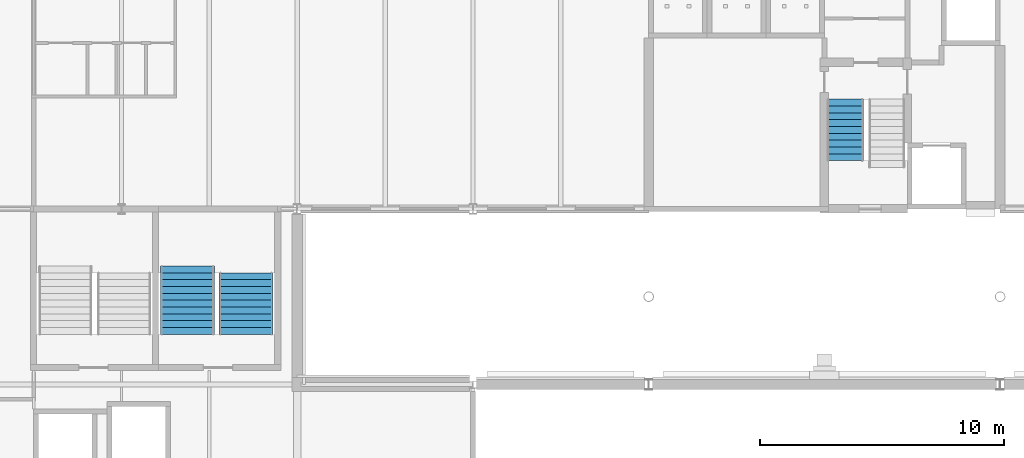
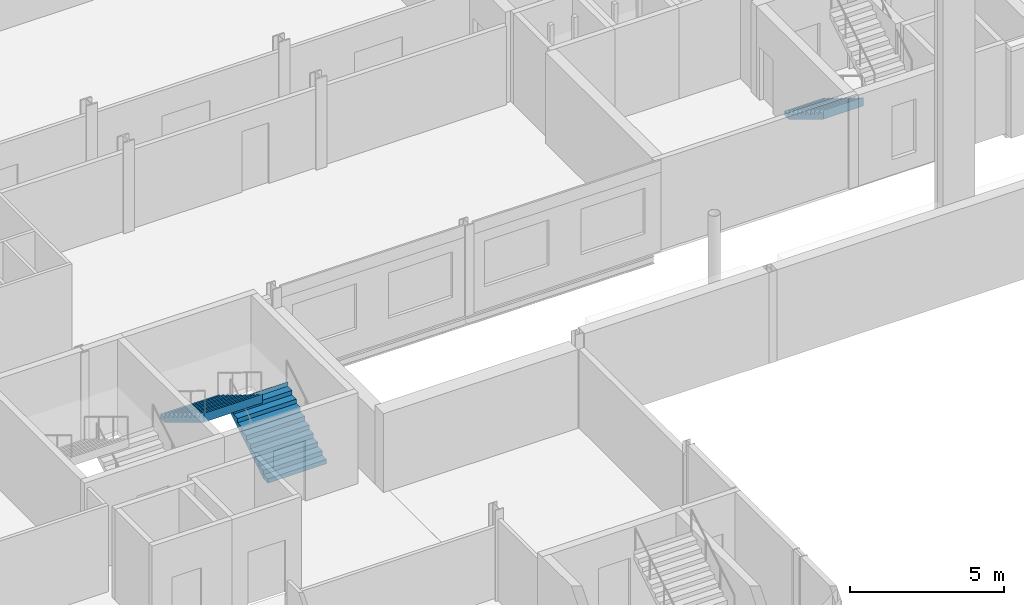
# One storey, part 72 of 90: 3 stair flights, 2 elements without a shape of their own.
"""IFC4 building model written with IfcOpenShell, lengths in metres."""

from ifc_helpers import new_model, si_unit, direction, frame, origin, place, context, subcontext, project, spatial, polyline, outline, extrude, material, type_object, element, aggregate, save


model = new_model("IFC4")

# Units and contexts
model_context = context("Model", 3, precision=1e-05, world=origin(), true_north=direction((0.0, 1.0)))
body_context = subcontext(model_context, "Body", "Model", "MODEL_VIEW")
ifc_project = project(units=[si_unit("LENGTHUNIT", "METRE"), si_unit("AREAUNIT", "SQUARE_METRE"), si_unit("VOLUMEUNIT", "CUBIC_METRE"), si_unit("PLANEANGLEUNIT", "RADIAN"), si_unit("MASSUNIT", "GRAM", prefix="KILO")], contexts=[model_context])

# Site, building, storey
site_placement = place(None, origin())
site = spatial("IfcSite", under=ifc_project, at=site_placement, CompositionType="ELEMENT")
building_placement = place(site_placement, origin())
building = spatial("IfcBuilding", under=site, at=building_placement, Name="Kupolbacken Congress Centre", CompositionType="ELEMENT")
storey_placement = place(building_placement, frame((0.0, 0.0, 3.60009765625)))
storey = spatial("IfcBuildingStorey", under=building, at=storey_placement, Name="L01", CompositionType="ELEMENT", Elevation=3.60009765625)

# Stair, stair flights
ifc_material_1 = material(Name="Concrete C30/37", Category="concrete")
stair_type_1 = type_object("IfcStairType", Name="ST13 stair 2200", PredefinedType="TWO_STRAIGHT_RUN_STAIR", material=ifc_material_1)
stair_1_placement = place(storey_placement, origin())
stair_1 = element("IfcStair", 1, at=stair_1_placement, inside=storey, type_object=stair_type_1, Name="C/stair/PS2NE/L01", PredefinedType="NOTDEFINED")
ifc_material_2 = material(Name="Concrete C30/37", Category="concrete")
stair_flight_type_1 = type_object("IfcStairFlightType", Name="FL13 stair flight 2200 x 10 risers", PredefinedType="STRAIGHT", material=ifc_material_2)
stair_flight_1_placement = place(storey_placement, frame((77.10009765625, 117.2548828125, 0.0), z_axis=(0.0, 0.0, 1.0), x_axis=(0.0, 1.0, 0.0)))
stair_flight_1 = element("IfcStairFlight", 2, at=stair_flight_1_placement, type_object=stair_flight_type_1, Name="PS2NE flight 1", NumberOfRisers=10, NumberOfTreads=9, PredefinedType="STRAIGHT", RiserHeight=0.171428571, TreadLength=0.28, context=body_context, shape_type="SweptSolid", body=[
    extrude(outline(polyline([(0.0, 0.0), (0.0, 0.0009765625), (0.0, 0.002197265625), (0.0, 0.003173828125), (0.0, 0.004150390625), (0.0, 0.00537109375), (0.0, 0.00634765625), (0.0, 0.007568359375), (0.0, 0.008544921875), (0.0, 0.009521484375), (0.0, 0.0107421875), (0.0, 0.01171875), (0.0, 0.0126953125), (0.0, 0.013916015625), (0.0, 0.014892578125), (0.0, 0.015869140625), (0.0, 0.01708984375), (0.0, 0.01806640625), (0.0, 0.019287109375), (0.0, 0.020263671875), (0.0, 0.021240234375), (0.0, 0.0224609375), (0.0, 0.0234375), (0.0, 0.0244140625), (0.0, 0.025634765625), (0.0, 0.026611328125), (0.0, 0.027587890625), (0.0, 0.02880859375), (0.0, 0.02978515625), (0.0, 0.03076171875), (0.0, 0.031982421875), (0.0, 0.032958984375), (0.0, 0.0341796875), (0.0, 0.03515625), (0.0, 0.0361328125), (0.0, 0.037353515625), (0.0, 0.038330078125), (0.0, 0.039306640625), (0.0, 0.04052734375), (0.0, 0.04150390625), (0.0, 0.04248046875), (0.0, 0.043701171875), (0.0, 0.044677734375), (0.0, 0.0458984375), (0.0, 0.046875), (0.0, 0.0478515625), (0.0, 0.049072265625), (0.0, 0.050048828125), (0.0, 0.051025390625), (0.0, 0.05224609375), (0.0, 0.05322265625), (0.0, 0.05419921875), (0.0, 0.055419921875), (0.0, 0.056396484375), (0.0, 0.0576171875), (0.0, 0.05859375), (0.0, 0.0595703125), (0.0, 0.060791015625), (0.0, 0.061767578125), (0.0, 0.062744140625), (0.0, 0.06396484375), (0.0, 0.06494140625), (0.0, 0.06591796875), (0.0, 0.067138671875), (0.0, 0.068115234375), (0.0, 0.069091796875), (0.0, 0.0703125), (0.0, 0.0712890625), (0.0, 0.072509765625), (0.0, 0.073486328125), (0.0, 0.074462890625), (0.0, 0.07568359375), (0.0, 0.07666015625), (0.0, 0.07763671875), (0.0, 0.078857421875), (0.0, 0.079833984375), (0.0, 0.080810546875), (0.0, 0.08203125), (0.0, 0.0830078125), (0.0, 0.084228515625), (0.0, 0.085205078125), (0.0, 0.086181640625), (0.0, 0.08740234375), (0.0, 0.08837890625), (0.0, 0.08935546875), (0.0, 0.090576171875), (0.0, 0.091552734375), (0.0, 0.092529296875), (0.0, 0.09375), (0.0, 0.0947265625), (0.0, 0.095947265625), (0.0, 0.096923828125), (0.0, 0.097900390625), (0.0, 0.09912109375), (0.0, 0.10009765625), (0.0, 0.10107421875), (0.0, 0.102294921875), (0.0, 0.103271484375), (0.0, 0.104248046875), (0.0, 0.10546875), (0.0, 0.1064453125), (0.0, 0.107421875), (0.0, 0.108642578125), (0.0, 0.109619140625), (0.0, 0.11083984375), (0.0, 0.11181640625), (0.0, 0.11279296875), (0.0, 0.114013671875), (0.0, 0.114990234375), (0.0, 0.115966796875), (0.0, 0.1171875), (0.0, 0.1181640625), (0.0, 0.119140625), (0.0, 0.120361328125), (0.0, 0.121337890625), (0.0, 0.12255859375), (0.0, 0.12353515625), (0.0, 0.12451171875), (0.0, 0.125732421875), (0.0, 0.126708984375), (0.0, 0.127685546875), (0.0, 0.12890625), (0.0, 0.1298828125), (0.0, 0.130859375), (0.0, 0.132080078125), (0.0, 0.133056640625), (0.0, 0.13427734375), (0.0, 0.13525390625), (0.0, 0.13623046875), (0.0, 0.137451171875), (0.0, 0.138427734375), (0.0, 0.139404296875), (0.0, 0.140625), (0.0, 0.1416015625), (0.0, 0.142578125), (0.0, 0.143798828125), (0.0, 0.144775390625), (0.0, 0.145751953125), (0.0, 0.14697265625), (0.0, 0.14794921875), (0.0, 0.149169921875), (0.0, 0.150146484375), (0.0, 0.151123046875), (0.0, 0.15234375), (0.0, 0.1533203125), (0.0, 0.154296875), (0.0, 0.155517578125), (0.0, 0.156494140625), (0.0, 0.157470703125), (0.0, 0.15869140625), (0.0, 0.15966796875), (0.0, 0.160888671875), (0.0, 0.161865234375), (0.0, 0.162841796875), (0.0, 0.1640625), (0.0, 0.1650390625), (0.0, 0.166015625), (0.0, 0.167236328125), (0.0, 0.168212890625), (0.0, 0.169189453125), (0.0, 0.17041015625), (0.0, 0.17138671875), (0.280029296875, 0.17138671875), (0.280029296875, 0.3427734375), (0.56005859375, 0.3427734375), (0.56005859375, 0.514404296875), (0.840087890625, 0.514404296875), (0.840087890625, 0.685791015625), (1.1201171875, 0.685791015625), (1.1201171875, 0.857177734375), (1.39990234375, 0.857177734375), (1.39990234375, 1.028564453125), (1.679931640625, 1.028564453125), (1.679931640625, 1.199951171875), (1.9599609375, 1.199951171875), (1.9599609375, 1.371337890625), (2.239990234375, 1.371337890625), (2.239990234375, 1.54296875), (2.52001953125, 1.54296875), (2.52001953125, 1.71435546875), (2.52197265625, 1.71435546875), (2.52197265625, 1.712158203125), (2.52197265625, 1.7099609375), (2.52197265625, 1.707763671875), (2.52197265625, 1.70556640625), (2.52197265625, 1.70361328125), (2.52197265625, 1.701416015625), (2.52197265625, 1.69921875), (2.52197265625, 1.697021484375), (2.52197265625, 1.69482421875), (2.52197265625, 1.692626953125), (2.52197265625, 1.690673828125), (2.52197265625, 1.6884765625), (2.52197265625, 1.686279296875), (2.52197265625, 1.68408203125), (2.52197265625, 1.681884765625), (2.52197265625, 1.6796875), (2.52197265625, 1.677734375), (2.52197265625, 1.675537109375), (2.52197265625, 1.67333984375), (2.52197265625, 1.671142578125), (2.52197265625, 1.6689453125), (2.52197265625, 1.666748046875), (2.52197265625, 1.664794921875), (2.52197265625, 1.66259765625), (2.52197265625, 1.660400390625), (2.52197265625, 1.658203125), (2.52197265625, 1.656005859375), (2.52197265625, 1.65380859375), (2.52197265625, 1.65185546875), (2.52197265625, 1.649658203125), (2.52197265625, 1.6474609375), (2.52197265625, 1.645263671875), (2.52197265625, 1.64306640625), (2.52197265625, 1.640869140625), (2.52197265625, 1.638916015625), (2.52197265625, 1.63671875), (2.52197265625, 1.634521484375), (2.52197265625, 1.63232421875), (2.52197265625, 1.630126953125), (2.52197265625, 1.6279296875), (2.52197265625, 1.6259765625), (2.52197265625, 1.623779296875), (2.52197265625, 1.62158203125), (2.52197265625, 1.619384765625), (2.52197265625, 1.6171875), (2.52197265625, 1.614990234375), (2.52197265625, 1.613037109375), (2.52197265625, 1.61083984375), (2.52197265625, 1.608642578125), (2.52197265625, 1.6064453125), (2.52197265625, 1.604248046875), (2.52197265625, 1.60205078125), (2.52197265625, 1.60009765625), (2.52197265625, 1.597900390625), (2.52197265625, 1.595703125), (2.52197265625, 1.593505859375), (2.52197265625, 1.59130859375), (2.52197265625, 1.589111328125), (2.52197265625, 1.587158203125), (2.52197265625, 1.5849609375), (2.52197265625, 1.582763671875), (2.52197265625, 1.58056640625), (2.52197265625, 1.578369140625), (2.52197265625, 1.576171875), (2.52197265625, 1.57421875), (2.52197265625, 1.572021484375), (2.52197265625, 1.56982421875), (2.52197265625, 1.567626953125), (2.52197265625, 1.5654296875), (2.52197265625, 1.563232421875), (2.52197265625, 1.561279296875), (2.52197265625, 1.55908203125), (2.52197265625, 1.556884765625), (2.52197265625, 1.5546875), (2.52197265625, 1.552490234375), (2.52197265625, 1.55029296875), (2.52197265625, 1.54833984375), (2.52197265625, 1.546142578125), (2.52197265625, 1.5439453125), (2.52197265625, 1.541748046875), (2.52197265625, 1.53955078125), (2.52197265625, 1.537353515625), (2.52197265625, 1.535400390625), (2.52197265625, 1.533203125), (2.52197265625, 1.531005859375), (2.52197265625, 1.52880859375), (2.52197265625, 1.526611328125), (2.52197265625, 1.5244140625), (2.52197265625, 1.5224609375), (2.52197265625, 1.520263671875), (2.52197265625, 1.51806640625), (2.52197265625, 1.515869140625), (2.52197265625, 1.513671875), (2.52197265625, 1.511474609375), (2.52197265625, 1.509521484375), (2.52197265625, 1.50732421875), (2.52197265625, 1.505126953125), (2.52197265625, 1.5029296875), (2.52197265625, 1.500732421875), (2.52197265625, 1.49853515625), (2.52197265625, 1.49658203125), (2.52197265625, 1.494384765625), (2.52197265625, 1.4921875), (2.52197265625, 1.489990234375), (2.52197265625, 1.48779296875), (2.52197265625, 1.485595703125), (2.52197265625, 1.483642578125), (2.52197265625, 1.4814453125), (2.52197265625, 1.479248046875), (2.52197265625, 1.47705078125), (2.52197265625, 1.474853515625), (2.52197265625, 1.47265625), (2.52197265625, 1.470703125), (2.52197265625, 1.468505859375), (2.52197265625, 1.46630859375), (2.52197265625, 1.464111328125), (2.52197265625, 1.4619140625), (2.52197265625, 1.459716796875), (2.52197265625, 1.457763671875), (2.52197265625, 1.45556640625), (2.52197265625, 1.453369140625), (2.52197265625, 1.451171875), (2.52197265625, 1.448974609375), (2.52197265625, 1.44677734375), (2.52197265625, 1.44482421875), (2.52197265625, 1.442626953125), (2.52197265625, 1.4404296875), (2.52197265625, 1.438232421875), (2.52197265625, 1.43603515625), (2.52197265625, 1.433837890625), (2.52197265625, 1.431884765625), (2.52197265625, 1.4296875), (2.52197265625, 1.427490234375), (2.52197265625, 1.42529296875), (2.52197265625, 1.423095703125), (2.52197265625, 1.4208984375), (2.52197265625, 1.4189453125), (2.52197265625, 1.416748046875), (2.52197265625, 1.41455078125), (2.52197265625, 1.412353515625), (2.52197265625, 1.41015625), (2.52197265625, 1.407958984375), (2.52197265625, 1.406005859375), (2.52197265625, 1.40380859375), (2.52197265625, 1.401611328125), (2.52197265625, 1.3994140625), (2.52197265625, 1.397216796875), (2.52197265625, 1.39501953125), (2.52197265625, 1.39306640625), (2.52197265625, 1.390869140625), (2.52197265625, 1.388671875), (2.52197265625, 1.386474609375), (2.52197265625, 1.38427734375), (2.52197265625, 1.382080078125), (2.52197265625, 1.380126953125), (2.52197265625, 1.3779296875), (2.52197265625, 1.375732421875), (2.52197265625, 1.37353515625), (2.52197265625, 1.371337890625), (2.52197265625, 1.369140625), (2.52197265625, 1.3671875), (0.2890625, 0.0), (0.0, 0.0)])), frame((0.0, 1.10009765625, 0.0), z_axis=(0.0, -1.0, 0.0), x_axis=(1.0, 0.0, 0.0)), (0.0, 0.0, 1.0), 2.199951171875),
])
ifc_material_3 = material(Name="Concrete C30/37", Category="concrete")
stair_flight_type_2 = type_object("IfcStairFlightType", Name="FL14 stair flight 2200 x 11 risers", PredefinedType="STRAIGHT", material=ifc_material_3)
stair_flight_2_placement = place(storey_placement, frame((74.699951171875, 120.054931640625, 1.714111328125), z_axis=(0.0, 0.0, 1.0), x_axis=(0.0, -1.0, 0.0)))
stair_flight_2 = element("IfcStairFlight", 3, at=stair_flight_2_placement, type_object=stair_flight_type_2, Name="PS2NE flight 2", NumberOfRisers=11, NumberOfTreads=10, PredefinedType="STRAIGHT", RiserHeight=0.171428571, TreadLength=0.28, context=body_context, shape_type="SweptSolid", body=[
    extrude(outline(polyline([(0.0, 0.0), (0.0, 0.0009765625), (0.0, 0.002197265625), (0.0, 0.003173828125), (0.0, 0.004150390625), (0.0, 0.00537109375), (0.0, 0.00634765625), (0.0, 0.007568359375), (0.0, 0.008544921875), (0.0, 0.009521484375), (0.0, 0.0107421875), (0.0, 0.01171875), (0.0, 0.0126953125), (0.0, 0.013916015625), (0.0, 0.014892578125), (0.0, 0.015869140625), (0.0, 0.01708984375), (0.0, 0.01806640625), (0.0, 0.019287109375), (0.0, 0.020263671875), (0.0, 0.021240234375), (0.0, 0.0224609375), (0.0, 0.0234375), (0.0, 0.0244140625), (0.0, 0.025634765625), (0.0, 0.026611328125), (0.0, 0.027587890625), (0.0, 0.02880859375), (0.0, 0.02978515625), (0.0, 0.03076171875), (0.0, 0.031982421875), (0.0, 0.032958984375), (0.0, 0.0341796875), (0.0, 0.03515625), (0.0, 0.0361328125), (0.0, 0.037353515625), (0.0, 0.038330078125), (0.0, 0.039306640625), (0.0, 0.04052734375), (0.0, 0.04150390625), (0.0, 0.04248046875), (0.0, 0.043701171875), (0.0, 0.044677734375), (0.0, 0.0458984375), (0.0, 0.046875), (0.0, 0.0478515625), (0.0, 0.049072265625), (0.0, 0.050048828125), (0.0, 0.051025390625), (0.0, 0.05224609375), (0.0, 0.05322265625), (0.0, 0.05419921875), (0.0, 0.055419921875), (0.0, 0.056396484375), (0.0, 0.0576171875), (0.0, 0.05859375), (0.0, 0.0595703125), (0.0, 0.060791015625), (0.0, 0.061767578125), (0.0, 0.062744140625), (0.0, 0.06396484375), (0.0, 0.06494140625), (0.0, 0.06591796875), (0.0, 0.067138671875), (0.0, 0.068115234375), (0.0, 0.069091796875), (0.0, 0.0703125), (0.0, 0.0712890625), (0.0, 0.072509765625), (0.0, 0.073486328125), (0.0, 0.074462890625), (0.0, 0.07568359375), (0.0, 0.07666015625), (0.0, 0.07763671875), (0.0, 0.078857421875), (0.0, 0.079833984375), (0.0, 0.080810546875), (0.0, 0.08203125), (0.0, 0.0830078125), (0.0, 0.084228515625), (0.0, 0.085205078125), (0.0, 0.086181640625), (0.0, 0.08740234375), (0.0, 0.08837890625), (0.0, 0.08935546875), (0.0, 0.090576171875), (0.0, 0.091552734375), (0.0, 0.092529296875), (0.0, 0.09375), (0.0, 0.0947265625), (0.0, 0.095947265625), (0.0, 0.096923828125), (0.0, 0.097900390625), (0.0, 0.09912109375), (0.0, 0.10009765625), (0.0, 0.10107421875), (0.0, 0.102294921875), (0.0, 0.103271484375), (0.0, 0.104248046875), (0.0, 0.10546875), (0.0, 0.1064453125), (0.0, 0.107421875), (0.0, 0.108642578125), (0.0, 0.109619140625), (0.0, 0.11083984375), (0.0, 0.11181640625), (0.0, 0.11279296875), (0.0, 0.114013671875), (0.0, 0.114990234375), (0.0, 0.115966796875), (0.0, 0.1171875), (0.0, 0.1181640625), (0.0, 0.119140625), (0.0, 0.120361328125), (0.0, 0.121337890625), (0.0, 0.12255859375), (0.0, 0.12353515625), (0.0, 0.12451171875), (0.0, 0.125732421875), (0.0, 0.126708984375), (0.0, 0.127685546875), (0.0, 0.12890625), (0.0, 0.1298828125), (0.0, 0.130859375), (0.0, 0.132080078125), (0.0, 0.133056640625), (0.0, 0.13427734375), (0.0, 0.13525390625), (0.0, 0.13623046875), (0.0, 0.137451171875), (0.0, 0.138427734375), (0.0, 0.139404296875), (0.0, 0.140625), (0.0, 0.1416015625), (0.0, 0.142578125), (0.0, 0.143798828125), (0.0, 0.144775390625), (0.0, 0.145751953125), (0.0, 0.14697265625), (0.0, 0.14794921875), (0.0, 0.149169921875), (0.0, 0.150146484375), (0.0, 0.151123046875), (0.0, 0.15234375), (0.0, 0.1533203125), (0.0, 0.154296875), (0.0, 0.155517578125), (0.0, 0.156494140625), (0.0, 0.157470703125), (0.0, 0.15869140625), (0.0, 0.15966796875), (0.0, 0.160888671875), (0.0, 0.161865234375), (0.0, 0.162841796875), (0.0, 0.1640625), (0.0, 0.1650390625), (0.0, 0.166015625), (0.0, 0.167236328125), (0.0, 0.168212890625), (0.0, 0.169189453125), (0.0, 0.17041015625), (0.0, 0.17138671875), (0.280029296875, 0.17138671875), (0.280029296875, 0.3427734375), (0.56005859375, 0.3427734375), (0.56005859375, 0.514404296875), (0.840087890625, 0.514404296875), (0.840087890625, 0.685791015625), (1.1201171875, 0.685791015625), (1.1201171875, 0.857177734375), (1.39990234375, 0.857177734375), (1.39990234375, 1.028564453125), (1.679931640625, 1.028564453125), (1.679931640625, 1.199951171875), (1.9599609375, 1.199951171875), (1.9599609375, 1.371337890625), (2.239990234375, 1.371337890625), (2.239990234375, 1.54296875), (2.52001953125, 1.54296875), (2.52001953125, 1.71435546875), (2.800048828125, 1.71435546875), (2.800048828125, 1.8857421875), (2.802001953125, 1.8857421875), (2.802001953125, 1.883544921875), (2.802001953125, 1.88134765625), (2.802001953125, 1.879150390625), (2.802001953125, 1.877197265625), (2.802001953125, 1.875), (2.802001953125, 1.872802734375), (2.802001953125, 1.87060546875), (2.802001953125, 1.868408203125), (2.802001953125, 1.8662109375), (2.802001953125, 1.8642578125), (2.802001953125, 1.862060546875), (2.802001953125, 1.85986328125), (2.802001953125, 1.857666015625), (2.802001953125, 1.85546875), (2.802001953125, 1.853271484375), (2.802001953125, 1.851318359375), (2.802001953125, 1.84912109375), (2.802001953125, 1.846923828125), (2.802001953125, 1.8447265625), (2.802001953125, 1.842529296875), (2.802001953125, 1.84033203125), (2.802001953125, 1.83837890625), (2.802001953125, 1.836181640625), (2.802001953125, 1.833984375), (2.802001953125, 1.831787109375), (2.802001953125, 1.82958984375), (2.802001953125, 1.827392578125), (2.802001953125, 1.825439453125), (2.802001953125, 1.8232421875), (2.802001953125, 1.821044921875), (2.802001953125, 1.81884765625), (2.802001953125, 1.816650390625), (2.802001953125, 1.814453125), (2.802001953125, 1.8125), (2.802001953125, 1.810302734375), (2.802001953125, 1.80810546875), (2.802001953125, 1.805908203125), (2.802001953125, 1.8037109375), (2.802001953125, 1.801513671875), (2.802001953125, 1.799560546875), (2.802001953125, 1.79736328125), (2.802001953125, 1.795166015625), (2.802001953125, 1.79296875), (2.802001953125, 1.790771484375), (2.802001953125, 1.78857421875), (2.802001953125, 1.78662109375), (2.802001953125, 1.784423828125), (2.802001953125, 1.7822265625), (2.802001953125, 1.780029296875), (2.802001953125, 1.77783203125), (2.802001953125, 1.775634765625), (2.802001953125, 1.773681640625), (2.802001953125, 1.771484375), (2.802001953125, 1.769287109375), (2.802001953125, 1.76708984375), (2.802001953125, 1.764892578125), (2.802001953125, 1.7626953125), (2.802001953125, 1.7607421875), (2.802001953125, 1.758544921875), (2.802001953125, 1.75634765625), (2.802001953125, 1.754150390625), (2.802001953125, 1.751953125), (2.802001953125, 1.749755859375), (2.802001953125, 1.747802734375), (2.802001953125, 1.74560546875), (2.802001953125, 1.743408203125), (2.802001953125, 1.7412109375), (2.802001953125, 1.739013671875), (2.802001953125, 1.73681640625), (2.802001953125, 1.73486328125), (2.802001953125, 1.732666015625), (2.802001953125, 1.73046875), (2.802001953125, 1.728271484375), (2.802001953125, 1.72607421875), (2.802001953125, 1.723876953125), (2.802001953125, 1.721923828125), (2.802001953125, 1.7197265625), (2.802001953125, 1.717529296875), (2.802001953125, 1.71533203125), (2.802001953125, 1.713134765625), (2.802001953125, 1.7109375), (2.802001953125, 1.708984375), (2.802001953125, 1.706787109375), (2.802001953125, 1.70458984375), (2.802001953125, 1.702392578125), (2.802001953125, 1.7001953125), (2.802001953125, 1.697998046875), (2.802001953125, 1.696044921875), (2.802001953125, 1.69384765625), (2.802001953125, 1.691650390625), (2.802001953125, 1.689453125), (2.802001953125, 1.687255859375), (2.802001953125, 1.68505859375), (2.802001953125, 1.68310546875), (2.802001953125, 1.680908203125), (2.802001953125, 1.6787109375), (2.802001953125, 1.676513671875), (2.802001953125, 1.67431640625), (2.802001953125, 1.672119140625), (2.802001953125, 1.670166015625), (2.802001953125, 1.66796875), (2.802001953125, 1.665771484375), (2.802001953125, 1.66357421875), (2.802001953125, 1.661376953125), (2.802001953125, 1.6591796875), (2.802001953125, 1.6572265625), (2.802001953125, 1.655029296875), (2.802001953125, 1.65283203125), (2.802001953125, 1.650634765625), (2.802001953125, 1.6484375), (2.802001953125, 1.646240234375), (2.802001953125, 1.644287109375), (2.802001953125, 1.64208984375), (2.802001953125, 1.639892578125), (2.802001953125, 1.6376953125), (2.802001953125, 1.635498046875), (2.802001953125, 1.63330078125), (2.802001953125, 1.63134765625), (2.802001953125, 1.629150390625), (2.802001953125, 1.626953125), (2.802001953125, 1.624755859375), (2.802001953125, 1.62255859375), (2.802001953125, 1.620361328125), (2.802001953125, 1.618408203125), (2.802001953125, 1.6162109375), (2.802001953125, 1.614013671875), (2.802001953125, 1.61181640625), (2.802001953125, 1.609619140625), (2.802001953125, 1.607421875), (2.802001953125, 1.60546875), (2.802001953125, 1.603271484375), (2.802001953125, 1.60107421875), (2.802001953125, 1.598876953125), (2.802001953125, 1.5966796875), (2.802001953125, 1.594482421875), (2.802001953125, 1.592529296875), (2.802001953125, 1.59033203125), (2.802001953125, 1.588134765625), (2.802001953125, 1.5859375), (2.802001953125, 1.583740234375), (2.802001953125, 1.58154296875), (2.802001953125, 1.57958984375), (2.802001953125, 1.577392578125), (2.802001953125, 1.5751953125), (2.802001953125, 1.572998046875), (2.802001953125, 1.57080078125), (2.802001953125, 1.568603515625), (2.802001953125, 1.566650390625), (2.802001953125, 1.564453125), (2.802001953125, 1.562255859375), (2.802001953125, 1.56005859375), (2.802001953125, 1.557861328125), (2.802001953125, 1.5556640625), (2.802001953125, 1.5537109375), (2.802001953125, 1.551513671875), (2.802001953125, 1.54931640625), (2.802001953125, 1.547119140625), (2.802001953125, 1.544921875), (2.802001953125, 1.542724609375), (2.802001953125, 1.540771484375), (2.802001953125, 1.53857421875), (0.2890625, 0.0), (0.0, 0.0)])), frame((0.0, 1.10009765625, 0.0), z_axis=(0.0, -1.0, 0.0), x_axis=(1.0, 0.0, 0.0)), (0.0, 0.0, 1.0), 2.199951171875),
])
aggregate(stair_1, [stair_flight_1, stair_flight_2])

# Stair, stair flight
ifc_material_4 = material(Name="Steel S355", Category="steel")
stair_type_2 = type_object("IfcStairType", Name="ST2 stair 1500", PredefinedType="TWO_STRAIGHT_RUN_STAIR", material=ifc_material_4)
stair_2_placement = place(storey_placement, origin())
stair_2 = element("IfcStair", 4, at=stair_2_placement, inside=storey, type_object=stair_type_2, Name="C/stair/TS1/L01", PredefinedType="NOTDEFINED")
ifc_material_5 = material(Name="Steel S355", Category="steel")
stair_flight_type_3 = type_object("IfcStairFlightType", Name="FL3 stair flight 1500 x 10 risers", PredefinedType="STRAIGHT", material=ifc_material_5)
stair_flight_3_placement = place(storey_placement, frame((101.64990234375, 126.89501953125, 0.0), z_axis=(0.0, 0.0, 1.0), x_axis=(0.0, -1.0, 0.0)))
stair_flight_3 = element("IfcStairFlight", 5, at=stair_flight_3_placement, type_object=stair_flight_type_3, Name="TS1 flight 1", NumberOfRisers=10, NumberOfTreads=9, PredefinedType="STRAIGHT", RiserHeight=0.171428571, TreadLength=0.28, context=body_context, shape_type="SweptSolid", body=[
    extrude(outline(polyline([(0.0, 0.0), (0.0, 0.0009765625), (0.0, 0.002197265625), (0.0, 0.003173828125), (0.0, 0.004150390625), (0.0, 0.00537109375), (0.0, 0.00634765625), (0.0, 0.007568359375), (0.0, 0.008544921875), (0.0, 0.009521484375), (0.0, 0.0107421875), (0.0, 0.01171875), (0.0, 0.0126953125), (0.0, 0.013916015625), (0.0, 0.014892578125), (0.0, 0.015869140625), (0.0, 0.01708984375), (0.0, 0.01806640625), (0.0, 0.019287109375), (0.0, 0.020263671875), (0.0, 0.021240234375), (0.0, 0.0224609375), (0.0, 0.0234375), (0.0, 0.0244140625), (0.0, 0.025634765625), (0.0, 0.026611328125), (0.0, 0.027587890625), (0.0, 0.02880859375), (0.0, 0.02978515625), (0.0, 0.03076171875), (0.0, 0.031982421875), (0.0, 0.032958984375), (0.0, 0.0341796875), (0.0, 0.03515625), (0.0, 0.0361328125), (0.0, 0.037353515625), (0.0, 0.038330078125), (0.0, 0.039306640625), (0.0, 0.04052734375), (0.0, 0.04150390625), (0.0, 0.04248046875), (0.0, 0.043701171875), (0.0, 0.044677734375), (0.0, 0.0458984375), (0.0, 0.046875), (0.0, 0.0478515625), (0.0, 0.049072265625), (0.0, 0.050048828125), (0.0, 0.051025390625), (0.0, 0.05224609375), (0.0, 0.05322265625), (0.0, 0.05419921875), (0.0, 0.055419921875), (0.0, 0.056396484375), (0.0, 0.0576171875), (0.0, 0.05859375), (0.0, 0.0595703125), (0.0, 0.060791015625), (0.0, 0.061767578125), (0.0, 0.062744140625), (0.0, 0.06396484375), (0.0, 0.06494140625), (0.0, 0.06591796875), (0.0, 0.067138671875), (0.0, 0.068115234375), (0.0, 0.069091796875), (0.0, 0.0703125), (0.0, 0.0712890625), (0.0, 0.072509765625), (0.0, 0.073486328125), (0.0, 0.074462890625), (0.0, 0.07568359375), (0.0, 0.07666015625), (0.0, 0.07763671875), (0.0, 0.078857421875), (0.0, 0.079833984375), (0.0, 0.080810546875), (0.0, 0.08203125), (0.0, 0.0830078125), (0.0, 0.084228515625), (0.0, 0.085205078125), (0.0, 0.086181640625), (0.0, 0.08740234375), (0.0, 0.08837890625), (0.0, 0.08935546875), (0.0, 0.090576171875), (0.0, 0.091552734375), (0.0, 0.092529296875), (0.0, 0.09375), (0.0, 0.0947265625), (0.0, 0.095947265625), (0.0, 0.096923828125), (0.0, 0.097900390625), (0.0, 0.09912109375), (0.0, 0.10009765625), (0.0, 0.10107421875), (0.0, 0.102294921875), (0.0, 0.103271484375), (0.0, 0.104248046875), (0.0, 0.10546875), (0.0, 0.1064453125), (0.0, 0.107421875), (0.0, 0.108642578125), (0.0, 0.109619140625), (0.0, 0.11083984375), (0.0, 0.11181640625), (0.0, 0.11279296875), (0.0, 0.114013671875), (0.0, 0.114990234375), (0.0, 0.115966796875), (0.0, 0.1171875), (0.0, 0.1181640625), (0.0, 0.119140625), (0.0, 0.120361328125), (0.0, 0.121337890625), (0.0, 0.12255859375), (0.0, 0.12353515625), (0.0, 0.12451171875), (0.0, 0.125732421875), (0.0, 0.126708984375), (0.0, 0.127685546875), (0.0, 0.12890625), (0.0, 0.1298828125), (0.0, 0.130859375), (0.0, 0.132080078125), (0.0, 0.133056640625), (0.0, 0.13427734375), (0.0, 0.13525390625), (0.0, 0.13623046875), (0.0, 0.137451171875), (0.0, 0.138427734375), (0.0, 0.139404296875), (0.0, 0.140625), (0.0, 0.1416015625), (0.0, 0.142578125), (0.0, 0.143798828125), (0.0, 0.144775390625), (0.0, 0.145751953125), (0.0, 0.14697265625), (0.0, 0.14794921875), (0.0, 0.149169921875), (0.0, 0.150146484375), (0.0, 0.151123046875), (0.0, 0.15234375), (0.0, 0.1533203125), (0.0, 0.154296875), (0.0, 0.155517578125), (0.0, 0.156494140625), (0.0, 0.157470703125), (0.0, 0.15869140625), (0.0, 0.15966796875), (0.0, 0.160888671875), (0.0, 0.161865234375), (0.0, 0.162841796875), (0.0, 0.1640625), (0.0, 0.1650390625), (0.0, 0.166015625), (0.0, 0.167236328125), (0.0, 0.168212890625), (0.0, 0.169189453125), (0.0, 0.17041015625), (0.0, 0.17138671875), (0.280029296875, 0.17138671875), (0.280029296875, 0.3427734375), (0.56005859375, 0.3427734375), (0.56005859375, 0.514404296875), (0.840087890625, 0.514404296875), (0.840087890625, 0.685791015625), (1.1201171875, 0.685791015625), (1.1201171875, 0.857177734375), (1.39990234375, 0.857177734375), (1.39990234375, 1.028564453125), (1.679931640625, 1.028564453125), (1.679931640625, 1.199951171875), (1.9599609375, 1.199951171875), (1.9599609375, 1.371337890625), (2.239990234375, 1.371337890625), (2.239990234375, 1.54296875), (2.52001953125, 1.54296875), (2.52001953125, 1.71435546875), (2.52197265625, 1.71435546875), (2.52197265625, 1.712158203125), (2.52197265625, 1.7099609375), (2.52197265625, 1.707763671875), (2.52197265625, 1.70556640625), (2.52197265625, 1.70361328125), (2.52197265625, 1.701416015625), (2.52197265625, 1.69921875), (2.52197265625, 1.697021484375), (2.52197265625, 1.69482421875), (2.52197265625, 1.692626953125), (2.52197265625, 1.690673828125), (2.52197265625, 1.6884765625), (2.52197265625, 1.686279296875), (2.52197265625, 1.68408203125), (2.52197265625, 1.681884765625), (2.52197265625, 1.6796875), (2.52197265625, 1.677734375), (2.52197265625, 1.675537109375), (2.52197265625, 1.67333984375), (2.52197265625, 1.671142578125), (2.52197265625, 1.6689453125), (2.52197265625, 1.666748046875), (2.52197265625, 1.664794921875), (2.52197265625, 1.66259765625), (2.52197265625, 1.660400390625), (2.52197265625, 1.658203125), (2.52197265625, 1.656005859375), (2.52197265625, 1.65380859375), (2.52197265625, 1.65185546875), (2.52197265625, 1.649658203125), (2.52197265625, 1.6474609375), (2.52197265625, 1.645263671875), (2.52197265625, 1.64306640625), (2.52197265625, 1.640869140625), (2.52197265625, 1.638916015625), (2.52197265625, 1.63671875), (2.52197265625, 1.634521484375), (2.52197265625, 1.63232421875), (2.52197265625, 1.630126953125), (2.52197265625, 1.6279296875), (2.52197265625, 1.6259765625), (2.52197265625, 1.623779296875), (2.52197265625, 1.62158203125), (2.52197265625, 1.619384765625), (2.52197265625, 1.6171875), (2.52197265625, 1.614990234375), (2.52197265625, 1.613037109375), (2.52197265625, 1.61083984375), (2.52197265625, 1.608642578125), (2.52197265625, 1.6064453125), (2.52197265625, 1.604248046875), (2.52197265625, 1.60205078125), (2.52197265625, 1.60009765625), (2.52197265625, 1.597900390625), (2.52197265625, 1.595703125), (2.52197265625, 1.593505859375), (2.52197265625, 1.59130859375), (2.52197265625, 1.589111328125), (2.52197265625, 1.587158203125), (2.52197265625, 1.5849609375), (2.52197265625, 1.582763671875), (2.52197265625, 1.58056640625), (2.52197265625, 1.578369140625), (2.52197265625, 1.576171875), (2.52197265625, 1.57421875), (2.52197265625, 1.572021484375), (2.52197265625, 1.56982421875), (2.52197265625, 1.567626953125), (2.52197265625, 1.5654296875), (2.52197265625, 1.563232421875), (2.52197265625, 1.561279296875), (2.52197265625, 1.55908203125), (2.52197265625, 1.556884765625), (2.52197265625, 1.5546875), (2.52197265625, 1.552490234375), (2.52197265625, 1.55029296875), (2.52197265625, 1.54833984375), (2.52197265625, 1.546142578125), (2.52197265625, 1.5439453125), (2.52197265625, 1.541748046875), (2.52197265625, 1.53955078125), (2.52197265625, 1.537353515625), (2.52197265625, 1.535400390625), (2.52197265625, 1.533203125), (2.52197265625, 1.531005859375), (2.52197265625, 1.52880859375), (2.52197265625, 1.526611328125), (2.52197265625, 1.5244140625), (2.52197265625, 1.5224609375), (2.52197265625, 1.520263671875), (2.52197265625, 1.51806640625), (2.52197265625, 1.515869140625), (2.52197265625, 1.513671875), (2.52197265625, 1.511474609375), (2.52197265625, 1.509521484375), (2.52197265625, 1.50732421875), (2.52197265625, 1.505126953125), (2.52197265625, 1.5029296875), (2.52197265625, 1.500732421875), (2.52197265625, 1.49853515625), (2.52197265625, 1.49658203125), (2.52197265625, 1.494384765625), (2.52197265625, 1.4921875), (2.52197265625, 1.489990234375), (2.52197265625, 1.48779296875), (2.52197265625, 1.485595703125), (2.52197265625, 1.483642578125), (2.52197265625, 1.4814453125), (2.52197265625, 1.479248046875), (2.52197265625, 1.47705078125), (2.52197265625, 1.474853515625), (2.52197265625, 1.47265625), (2.52197265625, 1.470703125), (2.52197265625, 1.468505859375), (2.52197265625, 1.46630859375), (2.52197265625, 1.464111328125), (2.52197265625, 1.4619140625), (2.52197265625, 1.459716796875), (2.52197265625, 1.457763671875), (2.52197265625, 1.45556640625), (2.52197265625, 1.453369140625), (2.52197265625, 1.451171875), (2.52197265625, 1.448974609375), (2.52197265625, 1.44677734375), (2.52197265625, 1.44482421875), (2.52197265625, 1.442626953125), (2.52197265625, 1.4404296875), (2.52197265625, 1.438232421875), (2.52197265625, 1.43603515625), (2.52197265625, 1.433837890625), (2.52197265625, 1.431884765625), (2.52197265625, 1.4296875), (2.52197265625, 1.427490234375), (2.52197265625, 1.42529296875), (2.52197265625, 1.423095703125), (2.52197265625, 1.4208984375), (2.52197265625, 1.4189453125), (2.52197265625, 1.416748046875), (2.52197265625, 1.41455078125), (2.52197265625, 1.412353515625), (2.52197265625, 1.41015625), (2.52197265625, 1.407958984375), (2.52197265625, 1.406005859375), (2.52197265625, 1.40380859375), (2.52197265625, 1.401611328125), (2.52197265625, 1.3994140625), (2.52197265625, 1.397216796875), (2.52197265625, 1.39501953125), (2.52197265625, 1.39306640625), (2.52197265625, 1.390869140625), (2.52197265625, 1.388671875), (2.52197265625, 1.386474609375), (2.52197265625, 1.38427734375), (2.52197265625, 1.382080078125), (2.52197265625, 1.380126953125), (2.52197265625, 1.3779296875), (2.52197265625, 1.375732421875), (2.52197265625, 1.37353515625), (2.52197265625, 1.371337890625), (2.52197265625, 1.369140625), (2.52197265625, 1.3671875), (0.2890625, 0.0), (0.0, 0.0)])), frame((0.0, 0.75, 0.0), z_axis=(0.0, -1.0, 0.0), x_axis=(1.0, 0.0, 0.0)), (0.0, 0.0, 1.0), 1.5),
])
aggregate(stair_2, [stair_flight_3])

save(model, "model.ifc")
